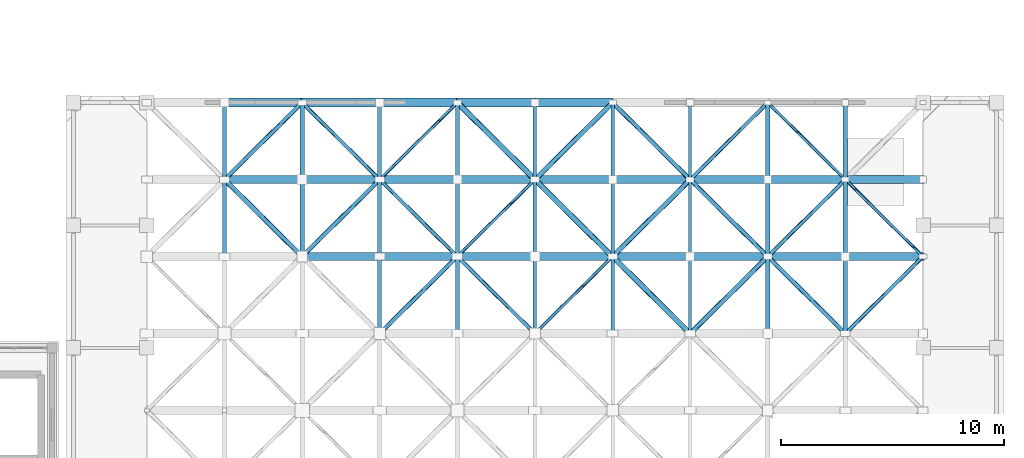
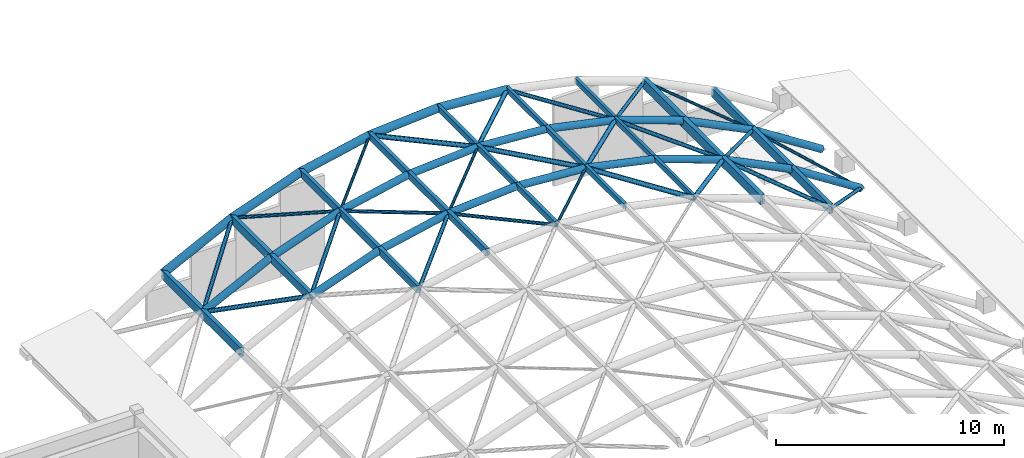
# One storey, part 24 of 52: 71 members.
"""IFC4 building model written with IfcOpenShell, lengths in metres."""

from ifc_helpers import new_model, si_unit, direction, frame, origin, origin_2d, place, context, subcontext, project, spatial, rectangle, hollow_circle, extrude, material, material_profile, profile_set, type_object, element, save


model = new_model("IFC4")

# Units and contexts
model_context = context("Model", 3, precision=1e-05, world=origin(), true_north=direction((0.0, 1.0)))
body_context = subcontext(model_context, "Body", "Model", "MODEL_VIEW")
ifc_project = project(units=[si_unit("LENGTHUNIT", "METRE"), si_unit("AREAUNIT", "SQUARE_METRE"), si_unit("VOLUMEUNIT", "CUBIC_METRE"), si_unit("PLANEANGLEUNIT", "RADIAN"), si_unit("MASSUNIT", "GRAM", prefix="KILO")], contexts=[model_context])

# Site, building, storey
site_placement = place(None, origin())
site = spatial("IfcSite", under=ifc_project, at=site_placement, CompositionType="ELEMENT")
building_placement = place(site_placement, origin())
building = spatial("IfcBuilding", under=site, at=building_placement, Name="Candilejo Ridge Gondola Terminal", CompositionType="ELEMENT")
storey_placement = place(building_placement, frame((0.0, 0.0, 18.60009765625)))
storey = spatial("IfcBuildingStorey", under=building, at=storey_placement, Name="L04", CompositionType="ELEMENT", Elevation=18.60009765625)

# Members
ifc_material_1 = material(Name="Steel ASTM A500 Grade C", Category="steel")
ifc_material_profile_1 = material_profile(ifc_material_1, hollow_circle(Radius=0.06982421875, WallThickness=0.00634765625, at=origin_2d()))
ifc_profile_set_1 = profile_set([ifc_material_profile_1], Name="Steel ASTM A500 Grade C")
member_type_1 = type_object("IfcMemberType", Name="STR-BRC-CHS140", PredefinedType="BRACE", material=ifc_profile_set_1)
for number, where, z_axis, x_axis, name in (
    (1, (154.60009765625, 37.35009765625, 6.0), (0.709256116362, 0.703135834174, -0.050554526043), (-0.704036083414, 0.710164201612, 0.0), "Barrel diagrid diagonal 10-06"),
    (2, (151.1201171875, 40.800048828125, 5.751953125), (0.709256116362, 0.703135834174, 0.050554526043), (-0.704036083414, 0.710164201612, 0.0), "Barrel diagrid diagonal 11-05"),
):
    element("IfcMember", number, at=place(storey_placement, frame(where, z_axis=z_axis, x_axis=x_axis)), inside=storey, type_object=member_type_1, Name=name, PredefinedType="BRACE", context=body_context, shape_type="SweptSolid", body=[
        extrude(hollow_circle(Radius=0.06982421875, WallThickness=0.00634765625, at=origin_2d()), origin(), (0.0, 0.0, 1.0), 4.906494140625),
    ])
member_1_placement = place(storey_placement, frame((172.0, 40.800048828125, -0.2001953125), z_axis=(-0.646271368564, 0.640694591636, 0.414540418323), x_axis=(-0.704036083414, -0.710164201612, 0.0)))
element("IfcMember", 3, at=member_1_placement, inside=storey, type_object=member_type_1, Name="Barrel diagrid diagonal 11-10", PredefinedType="BRACE", context=body_context, shape_type="SweptSolid", body=[
    extrude(hollow_circle(Radius=0.06982421875, WallThickness=0.00634765625, at=origin_2d()), origin(), (0.0, 0.0, 1.0), 5.384765625),
])
member_2_placement = place(storey_placement, frame((147.639892578125, 44.25, 5.0078125), z_axis=(0.702139662294, 0.696031958462, 0.150131300643), x_axis=(-0.704011173748, 0.710188895462, 0.0)))
element("IfcMember", 4, at=member_2_placement, inside=storey, type_object=member_type_1, Name="Barrel diagrid diagonal 12-04", PredefinedType="BRACE", context=body_context, shape_type="SweptSolid", body=[
    extrude(hollow_circle(Radius=0.06982421875, WallThickness=0.00634765625, at=origin_2d()), origin(), (0.0, 0.0, 1.0), 4.95654296875),
])
member_3_placement = place(storey_placement, frame((168.52001953125, 44.25, 2.031982421875), z_axis=(-0.669405688246, 0.663629281647, 0.333904478983), x_axis=(-0.704036083414, -0.710164201612, 0.0)))
element("IfcMember", 5, at=member_3_placement, inside=storey, type_object=member_type_1, Name="Barrel diagrid diagonal 12-09", PredefinedType="BRACE", context=body_context, shape_type="SweptSolid", body=[
    extrude(hollow_circle(Radius=0.06982421875, WallThickness=0.00634765625, at=origin_2d()), origin(), (0.0, 0.0, 1.0), 5.19873046875),
])
ifc_material_2 = material(Name="Steel ASTM A500 Grade C", Category="steel")
ifc_material_profile_2 = material_profile(ifc_material_2, hollow_circle(Radius=0.084228515625, WallThickness=0.007080078125, at=origin_2d()))
ifc_profile_set_2 = profile_set([ifc_material_profile_2], Name="Steel ASTM A500 Grade C")
member_type_2 = type_object("IfcMemberType", Name="STR-BRC-CHS168", PredefinedType="BRACE", material=ifc_profile_set_2)
member_4_placement = place(storey_placement, frame((154.60009765625, 37.35009765625, 6.0), z_axis=(-0.709256116362, 0.703135834174, -0.050554526043), x_axis=(-0.704036083414, -0.710164201612, 0.0)))
element("IfcMember", 6, at=member_4_placement, inside=storey, type_object=member_type_2, Name="Barrel diagrid diagonal 10-05", PredefinedType="BRACE", context=body_context, shape_type="SweptSolid", body=[
    extrude(hollow_circle(Radius=0.084228515625, WallThickness=0.007080078125, at=origin_2d()), origin(), (0.0, 0.0, 1.0), 4.906494140625),
])
member_5_placement = place(storey_placement, frame((168.52001953125, 37.35009765625, 2.031982421875), z_axis=(0.646271368564, 0.640694591636, -0.414540418323), x_axis=(-0.704036083414, 0.710164201612, 0.0)))
element("IfcMember", 7, at=member_5_placement, inside=storey, type_object=member_type_2, Name="Barrel diagrid diagonal 10-10", PredefinedType="BRACE", context=body_context, shape_type="SweptSolid", body=[
    extrude(hollow_circle(Radius=0.084228515625, WallThickness=0.007080078125, at=origin_2d()), origin(), (0.0, 0.0, 1.0), 5.384765625),
])
member_6_placement = place(storey_placement, frame((151.1201171875, 40.800048828125, 5.751953125), z_axis=(-0.702139662294, 0.696031958462, -0.150131300643), x_axis=(-0.704011173748, -0.710188895462, 0.0)))
element("IfcMember", 8, at=member_6_placement, inside=storey, type_object=member_type_2, Name="Barrel diagrid diagonal 11-04", PredefinedType="BRACE", context=body_context, shape_type="SweptSolid", body=[
    extrude(hollow_circle(Radius=0.084228515625, WallThickness=0.007080078125, at=origin_2d()), origin(), (0.0, 0.0, 1.0), 4.95654296875),
])
member_7_placement = place(storey_placement, frame((165.0400390625, 40.800048828125, 3.767822265625), z_axis=(0.669405688246, 0.663629281647, -0.333904478983), x_axis=(-0.704036083414, 0.710164201612, 0.0)))
element("IfcMember", 9, at=member_7_placement, inside=storey, type_object=member_type_2, Name="Barrel diagrid diagonal 11-09", PredefinedType="BRACE", context=body_context, shape_type="SweptSolid", body=[
    extrude(hollow_circle(Radius=0.084228515625, WallThickness=0.007080078125, at=origin_2d()), origin(), (0.0, 0.0, 1.0), 5.19873046875),
])
for number, where, z_axis, x_axis, name in (
    (10, (147.639892578125, 44.25, 5.0078125), (-0.688464148289, 0.682523283252, -0.24531425629), (-0.704036083414, -0.710164201612, 0.0), "Barrel diagrid diagonal 12-03"),
    (11, (161.56005859375, 44.25, 5.0078125), (0.688464148289, 0.682523283252, -0.24531425629), (-0.704036083414, 0.710164201612, 0.0), "Barrel diagrid diagonal 12-08"),
):
    element("IfcMember", number, at=place(storey_placement, frame(where, z_axis=z_axis, x_axis=x_axis)), inside=storey, type_object=member_type_2, Name=name, PredefinedType="BRACE", context=body_context, shape_type="SweptSolid", body=[
        extrude(hollow_circle(Radius=0.084228515625, WallThickness=0.007080078125, at=origin_2d()), origin(), (0.0, 0.0, 1.0), 5.0546875),
    ])
ifc_material_3 = material(Name="Steel ASTM A500 Grade C", Category="steel")
ifc_material_profile_3 = material_profile(ifc_material_3, hollow_circle(Radius=0.096923828125, WallThickness=0.0078125, at=origin_2d()))
ifc_profile_set_3 = profile_set([ifc_material_profile_3], Name="Steel ASTM A500 Grade C")
member_type_3 = type_object("IfcMemberType", Name="STR-BRC-CHS193", PredefinedType="BRACE", material=ifc_profile_set_3)
member_8_placement = place(storey_placement, frame((147.639892578125, 37.35009765625, 5.0078125), z_axis=(0.702139662294, 0.696031958462, 0.150131300643), x_axis=(-0.704011173748, 0.710188895462, 0.0)))
element("IfcMember", 12, at=member_8_placement, inside=storey, type_object=member_type_3, Name="Barrel diagrid diagonal 10-04", PredefinedType="BRACE", context=body_context, shape_type="SweptSolid", body=[
    extrude(hollow_circle(Radius=0.096923828125, WallThickness=0.0078125, at=origin_2d()), origin(), (0.0, 0.0, 1.0), 4.95654296875),
])
member_9_placement = place(storey_placement, frame((168.52001953125, 37.35009765625, 2.031982421875), z_axis=(-0.669405688246, 0.663629281647, 0.333904478983), x_axis=(-0.704036083414, -0.710164201612, 0.0)))
element("IfcMember", 13, at=member_9_placement, inside=storey, type_object=member_type_3, Name="Barrel diagrid diagonal 10-09", PredefinedType="BRACE", context=body_context, shape_type="SweptSolid", body=[
    extrude(hollow_circle(Radius=0.096923828125, WallThickness=0.0078125, at=origin_2d()), origin(), (0.0, 0.0, 1.0), 5.19873046875),
])
for number, where, z_axis, x_axis, name in (
    (14, (144.159912109375, 40.800048828125, 3.767822265625), (0.688464148289, 0.682523283252, 0.24531425629), (-0.704036083414, 0.710164201612, 0.0), "Barrel diagrid diagonal 11-03"),
    (15, (165.0400390625, 40.800048828125, 3.767822265625), (-0.688464148289, 0.682523283252, 0.24531425629), (-0.704036083414, -0.710164201612, 0.0), "Barrel diagrid diagonal 11-08"),
):
    element("IfcMember", number, at=place(storey_placement, frame(where, z_axis=z_axis, x_axis=x_axis)), inside=storey, type_object=member_type_3, Name=name, PredefinedType="BRACE", context=body_context, shape_type="SweptSolid", body=[
        extrude(hollow_circle(Radius=0.096923828125, WallThickness=0.0078125, at=origin_2d()), origin(), (0.0, 0.0, 1.0), 5.0546875),
    ])
member_10_placement = place(storey_placement, frame((140.679931640625, 44.25, 2.031982421875), z_axis=(0.669405688246, 0.663629281647, 0.333904478983), x_axis=(-0.704036083414, 0.710164201612, 0.0)))
element("IfcMember", 16, at=member_10_placement, inside=storey, type_object=member_type_3, Name="Barrel diagrid diagonal 12-02", PredefinedType="BRACE", context=body_context, shape_type="SweptSolid", body=[
    extrude(hollow_circle(Radius=0.096923828125, WallThickness=0.0078125, at=origin_2d()), origin(), (0.0, 0.0, 1.0), 5.19873046875),
])
member_11_placement = place(storey_placement, frame((161.56005859375, 44.25, 5.0078125), z_axis=(-0.702114688376, 0.696056030689, 0.150136492926), x_axis=(-0.704036083414, -0.710164201612, 0.0)))
element("IfcMember", 17, at=member_11_placement, inside=storey, type_object=member_type_3, Name="Barrel diagrid diagonal 12-07", PredefinedType="BRACE", context=body_context, shape_type="SweptSolid", body=[
    extrude(hollow_circle(Radius=0.096923828125, WallThickness=0.0078125, at=origin_2d()), origin(), (0.0, 0.0, 1.0), 4.95654296875),
])
ifc_material_4 = material(Name="Steel ASTM A500 Grade C", Category="steel")
ifc_material_profile_4 = material_profile(ifc_material_4, hollow_circle(Radius=0.109619140625, WallThickness=0.00830078125, at=origin_2d()))
ifc_profile_set_4 = profile_set([ifc_material_profile_4], Name="Steel ASTM A500 Grade C")
member_type_4 = type_object("IfcMemberType", Name="STR-BRC-CHS219", PredefinedType="BRACE", material=ifc_profile_set_4)
member_12_placement = place(storey_placement, frame((161.56005859375, 37.35009765625, 5.0078125), z_axis=(0.688464148289, 0.682523283252, -0.24531425629), x_axis=(-0.704036083414, 0.710164201612, 0.0)))
element("IfcMember", 18, at=member_12_placement, inside=storey, type_object=member_type_4, Name="Barrel diagrid diagonal 10-08", PredefinedType="BRACE", context=body_context, shape_type="SweptSolid", body=[
    extrude(hollow_circle(Radius=0.109619140625, WallThickness=0.00830078125, at=origin_2d()), origin(), (0.0, 0.0, 1.0), 5.0546875),
])
member_13_placement = place(storey_placement, frame((144.159912109375, 40.800048828125, 3.767822265625), z_axis=(-0.669405688246, 0.663629281647, -0.333904478983), x_axis=(-0.704036083414, -0.710164201612, 0.0)))
element("IfcMember", 19, at=member_13_placement, inside=storey, type_object=member_type_4, Name="Barrel diagrid diagonal 11-02", PredefinedType="BRACE", context=body_context, shape_type="SweptSolid", body=[
    extrude(hollow_circle(Radius=0.109619140625, WallThickness=0.00830078125, at=origin_2d()), origin(), (0.0, 0.0, 1.0), 5.19873046875),
])
member_14_placement = place(storey_placement, frame((158.080078125, 40.800048828125, 5.751953125), z_axis=(0.702114688376, 0.696056030689, -0.150136492926), x_axis=(-0.704036083414, 0.710164201612, 0.0)))
element("IfcMember", 20, at=member_14_placement, inside=storey, type_object=member_type_4, Name="Barrel diagrid diagonal 11-07", PredefinedType="BRACE", context=body_context, shape_type="SweptSolid", body=[
    extrude(hollow_circle(Radius=0.109619140625, WallThickness=0.00830078125, at=origin_2d()), origin(), (0.0, 0.0, 1.0), 4.95654296875),
])
member_15_placement = place(storey_placement, frame((154.60009765625, 44.25, 6.0), z_axis=(0.709256116362, 0.703135834174, -0.050554526043), x_axis=(-0.704036083414, 0.710164201612, 0.0)))
element("IfcMember", 21, at=member_15_placement, inside=storey, type_object=member_type_4, Name="Barrel diagrid diagonal 12-06", PredefinedType="BRACE", context=body_context, shape_type="SweptSolid", body=[
    extrude(hollow_circle(Radius=0.109619140625, WallThickness=0.00830078125, at=origin_2d()), origin(), (0.0, 0.0, 1.0), 4.906494140625),
])
ifc_material_5 = material(Name="Steel ASTM A500 Grade C", Category="steel")
ifc_material_profile_5 = material_profile(ifc_material_5, hollow_circle(Radius=0.122314453125, WallThickness=0.0087890625, at=origin_2d()))
ifc_profile_set_5 = profile_set([ifc_material_profile_5], Name="Steel ASTM A500 Grade C")
member_type_5 = type_object("IfcMemberType", Name="STR-BRC-CHS244", PredefinedType="BRACE", material=ifc_profile_set_5)
member_16_placement = place(storey_placement, frame((161.56005859375, 37.35009765625, 5.0078125), z_axis=(-0.702114688376, 0.696056030689, 0.150136492926), x_axis=(-0.704036083414, -0.710164201612, 0.0)))
element("IfcMember", 22, at=member_16_placement, inside=storey, type_object=member_type_5, Name="Barrel diagrid diagonal 10-07", PredefinedType="BRACE", context=body_context, shape_type="SweptSolid", body=[
    extrude(hollow_circle(Radius=0.122314453125, WallThickness=0.0087890625, at=origin_2d()), origin(), (0.0, 0.0, 1.0), 4.95654296875),
])
for number, where, z_axis, x_axis, name in (
    (23, (158.080078125, 40.800048828125, 5.751953125), (-0.709256116362, 0.703135834174, 0.050554526043), (-0.704036083414, -0.710164201612, 0.0), "Barrel diagrid diagonal 11-06"),
    (24, (154.60009765625, 44.25, 6.0), (-0.709256116362, 0.703135834174, -0.050554526043), (-0.704036083414, -0.710164201612, 0.0), "Barrel diagrid diagonal 12-05"),
):
    element("IfcMember", number, at=place(storey_placement, frame(where, z_axis=z_axis, x_axis=x_axis)), inside=storey, type_object=member_type_5, Name=name, PredefinedType="BRACE", context=body_context, shape_type="SweptSolid", body=[
        extrude(hollow_circle(Radius=0.122314453125, WallThickness=0.0087890625, at=origin_2d()), origin(), (0.0, 0.0, 1.0), 4.906494140625),
    ])
ifc_material_6 = material(Name="Glulam GL28h", Category="wood")
ifc_material_profile_6 = material_profile(ifc_material_6, rectangle(XDim=0.139892578125, YDim=0.280029296875, at=origin_2d()))
ifc_profile_set_6 = profile_set([ifc_material_profile_6], Name="Glulam GL28h")
member_type_6 = type_object("IfcMemberType", Name="STR-PUR-GL140X280", PredefinedType="PURLIN", material=ifc_profile_set_6)
for number, where, z_axis, x_axis, name in (
    (25, (161.56005859375, 37.35009765625, 5.06787109375), (0.0, 1.0, 0.0), (-1.0, 0.0, 0.0), "Glulam roof purlin 10-07"),
    (26, (161.56005859375, 40.800048828125, 5.06787109375), (0.0, 1.0, 0.0), (-1.0, 0.0, 0.0), "Glulam roof purlin 11-07"),
    (27, (161.56005859375, 44.25, 5.06787109375), (0.0, 1.0, 0.0), (-1.0, 0.0, 0.0), "Glulam roof purlin 12-07"),
):
    element("IfcMember", number, at=place(storey_placement, frame(where, z_axis=z_axis, x_axis=x_axis)), inside=storey, type_object=member_type_6, Name=name, PredefinedType="PURLIN", context=body_context, shape_type="SweptSolid", body=[
        extrude(rectangle(XDim=0.139892578125, YDim=0.280029296875, at=origin_2d()), origin(), (0.0, 0.0, 1.0), 3.449951171875),
    ])
ifc_material_7 = material(Name="Glulam GL28h", Category="wood")
ifc_material_profile_7 = material_profile(ifc_material_7, rectangle(XDim=0.159912109375, YDim=0.280029296875, at=origin_2d()))
ifc_profile_set_7 = profile_set([ifc_material_profile_7], Name="Glulam GL28h")
member_type_7 = type_object("IfcMemberType", Name="STR-PUR-GL160X280", PredefinedType="PURLIN", material=ifc_profile_set_7)
for number, where, z_axis, x_axis, name in (
    (28, (158.080078125, 37.35009765625, 5.81201171875), (0.0, 1.0, 0.0), (-1.0, 0.0, 0.0), "Glulam roof purlin 10-06"),
    (29, (158.080078125, 40.800048828125, 5.81201171875), (0.0, 1.0, 0.0), (-1.0, 0.0, 0.0), "Glulam roof purlin 11-06"),
    (30, (158.080078125, 44.25, 5.81201171875), (0.0, 1.0, 0.0), (-1.0, 0.0, 0.0), "Glulam roof purlin 12-06"),
):
    element("IfcMember", number, at=place(storey_placement, frame(where, z_axis=z_axis, x_axis=x_axis)), inside=storey, type_object=member_type_7, Name=name, PredefinedType="PURLIN", context=body_context, shape_type="SweptSolid", body=[
        extrude(rectangle(XDim=0.159912109375, YDim=0.280029296875, at=origin_2d()), origin(), (0.0, 0.0, 1.0), 3.449951171875),
    ])
ifc_material_8 = material(Name="Glulam GL28h", Category="wood")
ifc_material_profile_8 = material_profile(ifc_material_8, rectangle(XDim=0.159912109375, YDim=0.320068359375, at=origin_2d()))
ifc_profile_set_8 = profile_set([ifc_material_profile_8], Name="Glulam GL28h")
member_type_8 = type_object("IfcMemberType", Name="STR-PUR-GL160X320", PredefinedType="PURLIN", material=ifc_profile_set_8)
for number, where, z_axis, x_axis, name in (
    (31, (154.60009765625, 37.35009765625, 6.039794921875), (0.0, 1.0, 0.0), (-1.0, 0.0, 0.0), "Glulam roof purlin 10-05"),
    (32, (154.60009765625, 40.800048828125, 6.039794921875), (0.0, 1.0, 0.0), (-1.0, 0.0, 0.0), "Glulam roof purlin 11-05"),
    (33, (154.60009765625, 44.25, 6.039794921875), (0.0, 1.0, 0.0), (-1.0, 0.0, 0.0), "Glulam roof purlin 12-05"),
):
    element("IfcMember", number, at=place(storey_placement, frame(where, z_axis=z_axis, x_axis=x_axis)), inside=storey, type_object=member_type_8, Name=name, PredefinedType="PURLIN", context=body_context, shape_type="SweptSolid", body=[
        extrude(rectangle(XDim=0.159912109375, YDim=0.320068359375, at=origin_2d()), origin(), (0.0, 0.0, 1.0), 3.449951171875),
    ])
ifc_material_9 = material(Name="Glulam GL28h", Category="wood")
ifc_material_profile_9 = material_profile(ifc_material_9, rectangle(XDim=0.179931640625, YDim=0.360107421875, at=origin_2d()))
ifc_profile_set_9 = profile_set([ifc_material_profile_9], Name="Glulam GL28h")
member_type_9 = type_object("IfcMemberType", Name="STR-PUR-GL180X360", PredefinedType="PURLIN", material=ifc_profile_set_9)
for number, where, z_axis, x_axis, name in (
    (34, (151.1201171875, 37.35009765625, 5.77197265625), (0.0, 1.0, 0.0), (-1.0, 0.0, 0.0), "Glulam roof purlin 10-04"),
    (35, (151.1201171875, 40.800048828125, 5.77197265625), (0.0, 1.0, 0.0), (-1.0, 0.0, 0.0), "Glulam roof purlin 11-04"),
    (36, (151.1201171875, 44.25, 5.77197265625), (0.0, 1.0, 0.0), (-1.0, 0.0, 0.0), "Glulam roof purlin 12-04"),
):
    element("IfcMember", number, at=place(storey_placement, frame(where, z_axis=z_axis, x_axis=x_axis)), inside=storey, type_object=member_type_9, Name=name, PredefinedType="PURLIN", context=body_context, shape_type="SweptSolid", body=[
        extrude(rectangle(XDim=0.179931640625, YDim=0.360107421875, at=origin_2d()), origin(), (0.0, 0.0, 1.0), 3.449951171875),
    ])
ifc_material_10 = material(Name="Glulam GL28h", Category="wood")
ifc_material_profile_10 = material_profile(ifc_material_10, rectangle(XDim=0.179931640625, YDim=0.39990234375, at=origin_2d()))
ifc_profile_set_10 = profile_set([ifc_material_profile_10], Name="Glulam GL28h")
member_type_10 = type_object("IfcMemberType", Name="STR-PUR-GL180X400", PredefinedType="PURLIN", material=ifc_profile_set_10)
for number, where, z_axis, x_axis, name in (
    (37, (147.639892578125, 37.35009765625, 5.0078125), (0.0, 1.0, 0.0), (-1.0, 0.0, 0.0), "Glulam roof purlin 10-03"),
    (38, (147.639892578125, 40.800048828125, 5.0078125), (0.0, 1.0, 0.0), (-1.0, 0.0, 0.0), "Glulam roof purlin 11-03"),
    (39, (147.639892578125, 44.25, 5.0078125), (0.0, 1.0, 0.0), (-1.0, 0.0, 0.0), "Glulam roof purlin 12-03"),
):
    element("IfcMember", number, at=place(storey_placement, frame(where, z_axis=z_axis, x_axis=x_axis)), inside=storey, type_object=member_type_10, Name=name, PredefinedType="PURLIN", context=body_context, shape_type="SweptSolid", body=[
        extrude(rectangle(XDim=0.179931640625, YDim=0.39990234375, at=origin_2d()), origin(), (0.0, 0.0, 1.0), 3.449951171875),
    ])
ifc_material_11 = material(Name="Glulam GL28h", Category="wood")
ifc_material_profile_11 = material_profile(ifc_material_11, rectangle(XDim=0.199951171875, YDim=0.43994140625, at=origin_2d()))
ifc_profile_set_11 = profile_set([ifc_material_profile_11], Name="Glulam GL28h")
member_type_11 = type_object("IfcMemberType", Name="STR-PUR-GL200X440", PredefinedType="PURLIN", material=ifc_profile_set_11)
for number, where, z_axis, x_axis, name in (
    (40, (144.159912109375, 40.800048828125, 3.747802734375), (0.0, 1.0, 0.0), (-1.0, 0.0, 0.0), "Glulam roof purlin 11-02"),
    (41, (144.159912109375, 44.25, 3.747802734375), (0.0, 1.0, 0.0), (-1.0, 0.0, 0.0), "Glulam roof purlin 12-02"),
):
    element("IfcMember", number, at=place(storey_placement, frame(where, z_axis=z_axis, x_axis=x_axis)), inside=storey, type_object=member_type_11, Name=name, PredefinedType="PURLIN", context=body_context, shape_type="SweptSolid", body=[
        extrude(rectangle(XDim=0.199951171875, YDim=0.43994140625, at=origin_2d()), origin(), (0.0, 0.0, 1.0), 3.449951171875),
    ])
ifc_material_12 = material(Name="Glulam GL28h", Category="wood")
ifc_material_profile_12 = material_profile(ifc_material_12, rectangle(XDim=0.199951171875, YDim=0.47998046875, at=origin_2d()))
ifc_profile_set_12 = profile_set([ifc_material_profile_12], Name="Glulam GL28h")
member_type_12 = type_object("IfcMemberType", Name="STR-PUR-GL200X480", PredefinedType="PURLIN", material=ifc_profile_set_12)
for number, where, z_axis, x_axis, name in (
    (42, (168.52001953125, 37.35009765625, 1.991943359375), (0.0, 1.0, 0.0), (-1.0, 0.0, 0.0), "Glulam roof purlin 10-09"),
    (43, (140.679931640625, 40.800048828125, 1.991943359375), (0.0, 1.0, 0.0), (-1.0, 0.0, 0.0), "Glulam roof purlin 11-01"),
    (44, (168.52001953125, 40.800048828125, 1.991943359375), (0.0, 1.0, 0.0), (-1.0, 0.0, 0.0), "Glulam roof purlin 11-09"),
    (45, (140.679931640625, 44.25, 1.991943359375), (0.0, 1.0, 0.0), (-1.0, 0.0, 0.0), "Glulam roof purlin 12-01"),
    (46, (168.52001953125, 44.25, 1.991943359375), (0.0, 1.0, 0.0), (-1.0, 0.0, 0.0), "Glulam roof purlin 12-09"),
):
    element("IfcMember", number, at=place(storey_placement, frame(where, z_axis=z_axis, x_axis=x_axis)), inside=storey, type_object=member_type_12, Name=name, PredefinedType="PURLIN", context=body_context, shape_type="SweptSolid", body=[
        extrude(rectangle(XDim=0.199951171875, YDim=0.47998046875, at=origin_2d()), origin(), (0.0, 0.0, 1.0), 3.449951171875),
    ])
ifc_material_13 = material(Name="Glulam GL28h", Category="wood")
ifc_material_profile_13 = material_profile(ifc_material_13, rectangle(XDim=0.219970703125, YDim=0.52001953125, at=origin_2d()))
ifc_profile_set_13 = profile_set([ifc_material_profile_13], Name="Glulam GL28h")
member_type_13 = type_object("IfcMemberType", Name="STR-PUR-GL220X520", PredefinedType="PURLIN", material=ifc_profile_set_13)
for number, where, z_axis, x_axis, name in (
    (47, (165.0400390625, 37.35009765625, 3.7080078125), (0.0, 1.0, 0.0), (-1.0, 0.0, 0.0), "Glulam roof purlin 10-08"),
    (48, (165.0400390625, 40.800048828125, 3.7080078125), (0.0, 1.0, 0.0), (-1.0, 0.0, 0.0), "Glulam roof purlin 11-08"),
    (49, (165.0400390625, 44.25, 3.7080078125), (0.0, 1.0, 0.0), (-1.0, 0.0, 0.0), "Glulam roof purlin 12-08"),
):
    element("IfcMember", number, at=place(storey_placement, frame(where, z_axis=z_axis, x_axis=x_axis)), inside=storey, type_object=member_type_13, Name=name, PredefinedType="PURLIN", context=body_context, shape_type="SweptSolid", body=[
        extrude(rectangle(XDim=0.219970703125, YDim=0.52001953125, at=origin_2d()), origin(), (0.0, 0.0, 1.0), 3.449951171875),
    ])
ifc_material_14 = material(Name="Steel ASTM A500 Grade C", Category="steel")
ifc_material_profile_14 = material_profile(ifc_material_14, hollow_circle(Radius=0.177734375, WallThickness=0.0126953125, at=origin_2d()))
ifc_profile_set_14 = profile_set([ifc_material_profile_14], Name="Steel ASTM A500 Grade C")
member_type_14 = type_object("IfcMemberType", Name="STR-RAF-CHS356", PredefinedType="RAFTER", material=ifc_profile_set_14)
member_17_placement = place(storey_placement, frame((144.159912109375, 40.800048828125, 3.767822265625), z_axis=(0.94198686652, 0.0, 0.335649733061), x_axis=(0.0, 1.0, 0.0)))
element("IfcMember", 50, at=member_17_placement, inside=storey, type_object=member_type_14, Name="Barrel diagrid arch rafter F11-03", PredefinedType="RAFTER", context=body_context, shape_type="SweptSolid", body=[
    extrude(hollow_circle(Radius=0.177734375, WallThickness=0.0126953125, at=origin_2d()), origin(), (0.0, 0.0, 1.0), 3.6943359375),
])
member_18_placement = place(storey_placement, frame((147.639892578125, 40.800048828125, 5.0078125), z_axis=(0.97789568019, 0.0, 0.209093373078), x_axis=(0.0, 1.0, 0.0)))
element("IfcMember", 51, at=member_18_placement, inside=storey, type_object=member_type_14, Name="Barrel diagrid arch rafter F11-04", PredefinedType="RAFTER", context=body_context, shape_type="SweptSolid", body=[
    extrude(hollow_circle(Radius=0.177734375, WallThickness=0.0126953125, at=origin_2d()), origin(), (0.0, 0.0, 1.0), 3.558837890625),
])
for number, where, z_axis, x_axis, name in (
    (52, (151.1201171875, 40.800048828125, 5.751953125), (0.997469345253, 0.0, 0.071097857077), (0.0, 1.0, 0.0), "Barrel diagrid arch rafter F11-05"),
    (53, (154.60009765625, 40.800048828125, 6.0), (0.997469345253, 0.0, -0.071097857077), (0.0, 1.0, 0.0), "Barrel diagrid arch rafter F11-06"),
):
    element("IfcMember", number, at=place(storey_placement, frame(where, z_axis=z_axis, x_axis=x_axis)), inside=storey, type_object=member_type_14, Name=name, PredefinedType="RAFTER", context=body_context, shape_type="SweptSolid", body=[
        extrude(hollow_circle(Radius=0.177734375, WallThickness=0.0126953125, at=origin_2d()), origin(), (0.0, 0.0, 1.0), 3.48876953125),
    ])
member_19_placement = place(storey_placement, frame((158.080078125, 40.800048828125, 5.751953125), z_axis=(0.977892680686, 0.0, -0.209107400781), x_axis=(0.0, 1.0, 0.0)))
element("IfcMember", 54, at=member_19_placement, inside=storey, type_object=member_type_14, Name="Barrel diagrid arch rafter F11-07", PredefinedType="RAFTER", context=body_context, shape_type="SweptSolid", body=[
    extrude(hollow_circle(Radius=0.177734375, WallThickness=0.0126953125, at=origin_2d()), origin(), (0.0, 0.0, 1.0), 3.55859375),
])
member_20_placement = place(storey_placement, frame((161.56005859375, 40.800048828125, 5.0078125), z_axis=(0.94198686652, 0.0, -0.335649733061), x_axis=(0.0, 1.0, 0.0)))
element("IfcMember", 55, at=member_20_placement, inside=storey, type_object=member_type_14, Name="Barrel diagrid arch rafter F11-08", PredefinedType="RAFTER", context=body_context, shape_type="SweptSolid", body=[
    extrude(hollow_circle(Radius=0.177734375, WallThickness=0.0126953125, at=origin_2d()), origin(), (0.0, 0.0, 1.0), 3.6943359375),
])
member_21_placement = place(storey_placement, frame((165.0400390625, 40.800048828125, 3.767822265625), z_axis=(0.894853681561, 0.0, -0.446359595615), x_axis=(0.0, 1.0, 0.0)))
element("IfcMember", 56, at=member_21_placement, inside=storey, type_object=member_type_14, Name="Barrel diagrid arch rafter F11-09", PredefinedType="RAFTER", context=body_context, shape_type="SweptSolid", body=[
    extrude(hollow_circle(Radius=0.177734375, WallThickness=0.0126953125, at=origin_2d()), origin(), (0.0, 0.0, 1.0), 3.888916015625),
])
member_22_placement = place(storey_placement, frame((168.52001953125, 40.800048828125, 2.031982421875), z_axis=(0.841722944164, 0.0, -0.539909701031), x_axis=(0.0, 1.0, 0.0)))
element("IfcMember", 57, at=member_22_placement, inside=storey, type_object=member_type_14, Name="Barrel diagrid arch rafter F11-10", PredefinedType="RAFTER", context=body_context, shape_type="SweptSolid", body=[
    extrude(hollow_circle(Radius=0.177734375, WallThickness=0.0126953125, at=origin_2d()), origin(), (0.0, 0.0, 1.0), 4.13427734375),
])
member_23_placement = place(storey_placement, frame((140.679931640625, 44.25, 2.031982421875), z_axis=(0.894853681561, 0.0, 0.446359595615), x_axis=(0.0, 1.0, 0.0)))
element("IfcMember", 58, at=member_23_placement, inside=storey, type_object=member_type_14, Name="Barrel diagrid arch rafter F12-02", PredefinedType="RAFTER", context=body_context, shape_type="SweptSolid", body=[
    extrude(hollow_circle(Radius=0.177734375, WallThickness=0.0126953125, at=origin_2d()), origin(), (0.0, 0.0, 1.0), 3.888916015625),
])
member_24_placement = place(storey_placement, frame((144.159912109375, 44.25, 3.767822265625), z_axis=(0.94198686652, 0.0, 0.335649733061), x_axis=(0.0, 1.0, 0.0)))
element("IfcMember", 59, at=member_24_placement, inside=storey, type_object=member_type_14, Name="Barrel diagrid arch rafter F12-03", PredefinedType="RAFTER", context=body_context, shape_type="SweptSolid", body=[
    extrude(hollow_circle(Radius=0.177734375, WallThickness=0.0126953125, at=origin_2d()), origin(), (0.0, 0.0, 1.0), 3.6943359375),
])
member_25_placement = place(storey_placement, frame((147.639892578125, 44.25, 5.0078125), z_axis=(0.97789568019, 0.0, 0.209093373078), x_axis=(0.0, 1.0, 0.0)))
element("IfcMember", 60, at=member_25_placement, inside=storey, type_object=member_type_14, Name="Barrel diagrid arch rafter F12-04", PredefinedType="RAFTER", context=body_context, shape_type="SweptSolid", body=[
    extrude(hollow_circle(Radius=0.177734375, WallThickness=0.0126953125, at=origin_2d()), origin(), (0.0, 0.0, 1.0), 3.558837890625),
])
for number, where, z_axis, x_axis, name in (
    (61, (151.1201171875, 44.25, 5.751953125), (0.997469345253, 0.0, 0.071097857077), (0.0, 1.0, 0.0), "Barrel diagrid arch rafter F12-05"),
    (62, (154.60009765625, 44.25, 6.0), (0.997469345253, 0.0, -0.071097857077), (0.0, 1.0, 0.0), "Barrel diagrid arch rafter F12-06"),
):
    element("IfcMember", number, at=place(storey_placement, frame(where, z_axis=z_axis, x_axis=x_axis)), inside=storey, type_object=member_type_14, Name=name, PredefinedType="RAFTER", context=body_context, shape_type="SweptSolid", body=[
        extrude(hollow_circle(Radius=0.177734375, WallThickness=0.0126953125, at=origin_2d()), origin(), (0.0, 0.0, 1.0), 3.48876953125),
    ])
member_26_placement = place(storey_placement, frame((158.080078125, 44.25, 5.751953125), z_axis=(0.977892680686, 0.0, -0.209107400781), x_axis=(0.0, 1.0, 0.0)))
element("IfcMember", 63, at=member_26_placement, inside=storey, type_object=member_type_14, Name="Barrel diagrid arch rafter F12-07", PredefinedType="RAFTER", context=body_context, shape_type="SweptSolid", body=[
    extrude(hollow_circle(Radius=0.177734375, WallThickness=0.0126953125, at=origin_2d()), origin(), (0.0, 0.0, 1.0), 3.55859375),
])
member_27_placement = place(storey_placement, frame((161.56005859375, 44.25, 5.0078125), z_axis=(0.94198686652, 0.0, -0.335649733061), x_axis=(0.0, 1.0, 0.0)))
element("IfcMember", 64, at=member_27_placement, inside=storey, type_object=member_type_14, Name="Barrel diagrid arch rafter F12-08", PredefinedType="RAFTER", context=body_context, shape_type="SweptSolid", body=[
    extrude(hollow_circle(Radius=0.177734375, WallThickness=0.0126953125, at=origin_2d()), origin(), (0.0, 0.0, 1.0), 3.6943359375),
])
member_28_placement = place(storey_placement, frame((165.0400390625, 44.25, 3.767822265625), z_axis=(0.894853681561, 0.0, -0.446359595615), x_axis=(0.0, 1.0, 0.0)))
element("IfcMember", 65, at=member_28_placement, inside=storey, type_object=member_type_14, Name="Barrel diagrid arch rafter F12-09", PredefinedType="RAFTER", context=body_context, shape_type="SweptSolid", body=[
    extrude(hollow_circle(Radius=0.177734375, WallThickness=0.0126953125, at=origin_2d()), origin(), (0.0, 0.0, 1.0), 3.888916015625),
])
member_29_placement = place(storey_placement, frame((168.52001953125, 44.25, 2.031982421875), z_axis=(0.841722944164, 0.0, -0.539909701031), x_axis=(0.0, 1.0, 0.0)))
element("IfcMember", 66, at=member_29_placement, inside=storey, type_object=member_type_14, Name="Barrel diagrid arch rafter F12-10", PredefinedType="RAFTER", context=body_context, shape_type="SweptSolid", body=[
    extrude(hollow_circle(Radius=0.177734375, WallThickness=0.0126953125, at=origin_2d()), origin(), (0.0, 0.0, 1.0), 4.13427734375),
])
ifc_material_15 = material(Name="Steel ASTM A500 Grade C", Category="steel")
ifc_material_profile_15 = material_profile(ifc_material_15, hollow_circle(Radius=0.203125, WallThickness=0.0126953125, at=origin_2d()))
ifc_profile_set_15 = profile_set([ifc_material_profile_15], Name="Steel ASTM A500 Grade C")
member_type_15 = type_object("IfcMemberType", Name="STR-RAF-CHS406", PredefinedType="RAFTER", material=ifc_profile_set_15)
member_30_placement = place(storey_placement, frame((140.679931640625, 47.699951171875, 2.031982421875), z_axis=(0.894853681561, 0.0, 0.446359595615), x_axis=(0.0, 1.0, 0.0)))
element("IfcMember", 67, at=member_30_placement, inside=storey, type_object=member_type_15, Name="Barrel diagrid arch rafter F13-02", PredefinedType="RAFTER", context=body_context, shape_type="SweptSolid", body=[
    extrude(hollow_circle(Radius=0.203125, WallThickness=0.0126953125, at=origin_2d()), origin(), (0.0, 0.0, 1.0), 3.888916015625),
])
member_31_placement = place(storey_placement, frame((144.159912109375, 47.699951171875, 3.767822265625), z_axis=(0.94198686652, 0.0, 0.335649733061), x_axis=(0.0, 1.0, 0.0)))
element("IfcMember", 68, at=member_31_placement, inside=storey, type_object=member_type_15, Name="Barrel diagrid arch rafter F13-03", PredefinedType="RAFTER", context=body_context, shape_type="SweptSolid", body=[
    extrude(hollow_circle(Radius=0.203125, WallThickness=0.0126953125, at=origin_2d()), origin(), (0.0, 0.0, 1.0), 3.6943359375),
])
member_32_placement = place(storey_placement, frame((147.639892578125, 47.699951171875, 5.0078125), z_axis=(0.97789568019, 0.0, 0.209093373078), x_axis=(0.0, 1.0, 0.0)))
element("IfcMember", 69, at=member_32_placement, inside=storey, type_object=member_type_15, Name="Barrel diagrid arch rafter F13-04", PredefinedType="RAFTER", context=body_context, shape_type="SweptSolid", body=[
    extrude(hollow_circle(Radius=0.203125, WallThickness=0.0126953125, at=origin_2d()), origin(), (0.0, 0.0, 1.0), 3.558837890625),
])
for number, where, z_axis, x_axis, name in (
    (70, (151.1201171875, 47.699951171875, 5.751953125), (0.997469345253, 0.0, 0.071097857077), (0.0, 1.0, 0.0), "Barrel diagrid arch rafter F13-05"),
    (71, (154.60009765625, 47.699951171875, 6.0), (0.997469345253, 0.0, -0.071097857077), (0.0, 1.0, 0.0), "Barrel diagrid arch rafter F13-06"),
):
    element("IfcMember", number, at=place(storey_placement, frame(where, z_axis=z_axis, x_axis=x_axis)), inside=storey, type_object=member_type_15, Name=name, PredefinedType="RAFTER", context=body_context, shape_type="SweptSolid", body=[
        extrude(hollow_circle(Radius=0.203125, WallThickness=0.0126953125, at=origin_2d()), origin(), (0.0, 0.0, 1.0), 3.48876953125),
    ])

save(model, "model.ifc")
